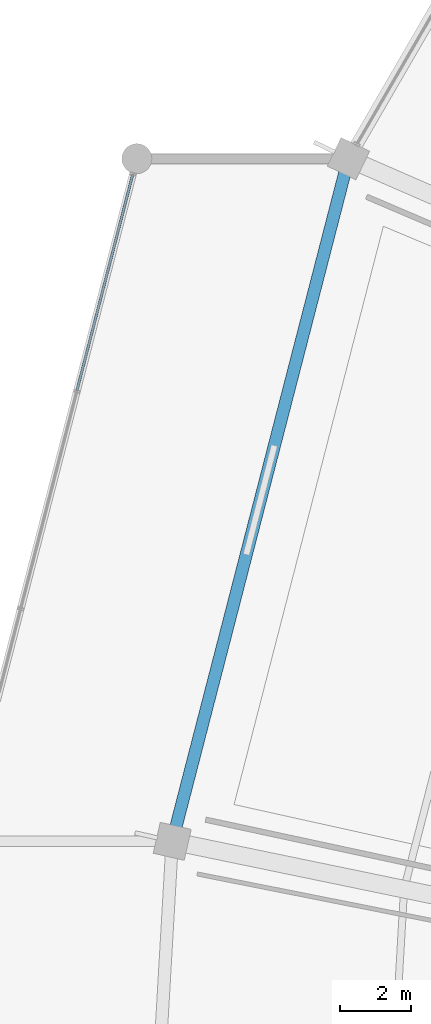
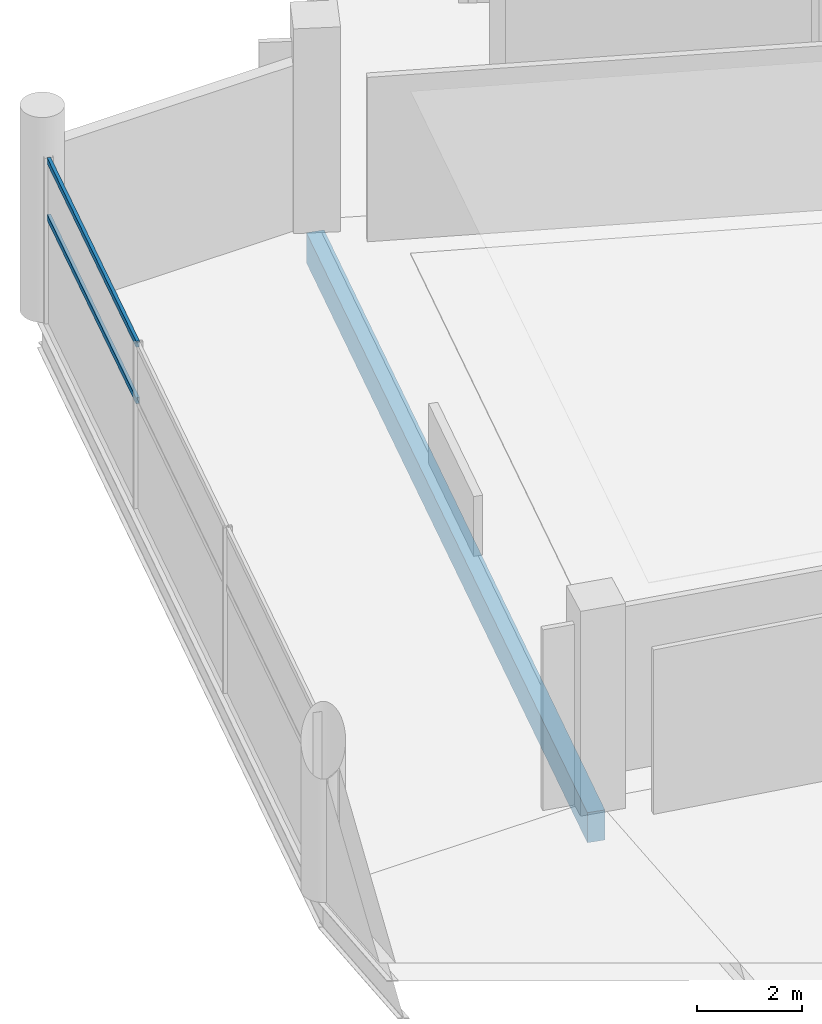
# One storey, part 36 of 156: 2 members, 1 beam, 1 element without a shape of its own.
"""IFC4 building model written with IfcOpenShell, lengths in metres."""

import ifcopenshell
import ifcopenshell.guid

model = None  # the IFC model being written
_history = None  # IfcOwnerHistory: only IFC2X3 demands one
_inside = {}  # id of a spatial element -> (the spatial element, [elements in it])
_under = {}  # id of a project, library or spatial element -> (it, [spatial elements below it])
_declared = {}  # id of a project -> (the project, [libraries it declares])
_typed = {}  # id of a type object -> (the type object, [elements of that type])
_made_of = {}  # id of a material, layer set ... -> (it, [elements and type objects made of it])


def new_model(schema):
    """Start an empty IFC model of exactly this schema.

    Asked for "IFC4X3", IfcOpenShell would pick the latest addendum, in which some entities
    have other attributes; the version numbers below select the first issue.
    IFC2X3 requires an IfcOwnerHistory on every rooted entity: one is made here for all.
    """
    global model, _history
    if schema == "IFC4X3":
        model = ifcopenshell.file(schema_version=(4, 3, 0, 0))
    else:
        model = ifcopenshell.file(schema=schema)
    _inside.clear()
    _under.clear()
    _declared.clear()
    _typed.clear()
    _made_of.clear()
    _history = None
    if model.schema == "IFC2X3":
        org = make("IfcOrganization", Name="unknown")
        user = make(
            "IfcPersonAndOrganization",
            ThePerson=make("IfcPerson", FamilyName="unknown"),
            TheOrganization=org,
        )
        app = make(
            "IfcApplication",
            ApplicationDeveloper=org,
            Version="unknown",
            ApplicationFullName="unknown",
            ApplicationIdentifier="unknown",
        )
        _history = make(
            "IfcOwnerHistory",
            OwningUser=user,
            OwningApplication=app,
            ChangeAction="ADDED",
            CreationDate=0,
        )
    return model


def make(cls, **values):
    """One entity of the class cls with the attributes given. An attribute that is None is left unset."""
    return model.create_entity(
        cls, **{name: value for name, value in values.items() if value is not None}
    )


def rooted(cls, **values):
    """An entity with a GlobalId (a new one), such as an element, a storey or a relation."""
    return make(cls, GlobalId=ifcopenshell.guid.new(), OwnerHistory=_history, **values)


def si_unit(unit_type, name, prefix=None):
    """IfcSIUnit, for example si_unit("LENGTHUNIT", "METRE", prefix="MILLI")."""
    return make("IfcSIUnit", UnitType=unit_type, Prefix=prefix, Name=name)


def assignment(units):
    """IfcUnitAssignment: the units of a project."""
    return None if units is None else make("IfcUnitAssignment", Units=units)


def point(xyz):
    """IfcCartesianPoint."""
    return None if xyz is None else make("IfcCartesianPoint", Coordinates=xyz)


def direction(xyz):
    """IfcDirection."""
    return None if xyz is None else make("IfcDirection", DirectionRatios=xyz)


def frame(location, z_axis=None, x_axis=None):
    """IfcAxis2Placement3D, a coordinate frame: its origin and axes. An axis left out is left unset."""
    return make(
        "IfcAxis2Placement3D",
        Location=point(location),
        Axis=direction(z_axis),
        RefDirection=direction(x_axis),
    )


def frame_2d(location, x_axis=None):
    """IfcAxis2Placement2D, a coordinate frame in the plane: its origin and x axis."""
    return make(
        "IfcAxis2Placement2D", Location=point(location), RefDirection=direction(x_axis)
    )


def origin():
    """The frame at (0, 0, 0) with its axes left unset."""
    return frame((0.0, 0.0, 0.0))


def origin_2d():
    """The frame at (0, 0) in the plane with its x axis left unset."""
    return frame_2d((0.0, 0.0))


def place(relative_to, where):
    """IfcLocalPlacement: puts the frame where relative to a parent placement (None: the world)."""
    return make(
        "IfcLocalPlacement", PlacementRelTo=relative_to, RelativePlacement=where
    )


def context(
    kind, dimensions, precision=None, world=None, true_north=None, identifier=None
):
    """IfcGeometricRepresentationContext, for example the 3D "Model" context."""
    return make(
        "IfcGeometricRepresentationContext",
        ContextIdentifier=identifier,
        ContextType=kind,
        CoordinateSpaceDimension=dimensions,
        Precision=precision,
        WorldCoordinateSystem=world,
        TrueNorth=true_north,
    )


def subcontext(parent, identifier, kind, view, scale=None):
    """IfcGeometricRepresentationSubContext, for example "Body" below "Model"."""
    return make(
        "IfcGeometricRepresentationSubContext",
        ContextIdentifier=identifier,
        ContextType=kind,
        ParentContext=parent,
        TargetScale=scale,
        TargetView=view,
    )


def project(units=None, contexts=None):
    """IfcProject with its units and contexts."""
    return rooted(
        "IfcProject",
        Name="project",
        RepresentationContexts=contexts,
        UnitsInContext=assignment(units),
    )


def spatial(cls, under=None, at=None, **own):
    """A site, building, storey or space (cls), placed at a placement, below another one or the project."""
    s = rooted(cls, ObjectPlacement=at, **own)
    if under is not None:
        _under.setdefault(under.id(), (under, []))[1].append(s)
    return s


def profile(cls, at=None, kind="AREA", **sizes):
    """A parametric profile (cls). Its sizes go by their IFC names, for example OverallWidth=200.0."""
    return make(cls, ProfileType=kind, Position=at, **sizes)


def rectangle(**sizes):
    """IfcRectangleProfileDef."""
    return profile("IfcRectangleProfileDef", **sizes)


def hollow_rectangle(**sizes):
    """IfcRectangleHollowProfileDef."""
    return profile("IfcRectangleHollowProfileDef", **sizes)


def extrude(swept, where, along, depth):
    """IfcExtrudedAreaSolid: the profile swept, set in the frame where, extruded along a direction by depth."""
    return make(
        "IfcExtrudedAreaSolid",
        SweptArea=swept,
        Position=where,
        ExtrudedDirection=direction(along),
        Depth=depth,
    )


def shape(context_of_items, identifier, shape_type, items):
    """IfcShapeRepresentation: the items that make up one representation, for example the "Body"."""
    return make(
        "IfcShapeRepresentation",
        ContextOfItems=context_of_items,
        RepresentationIdentifier=identifier,
        RepresentationType=shape_type,
        Items=items,
    )


def material(Name=None, Category=None):
    """IfcMaterial."""
    return make("IfcMaterial", Name=Name, Category=Category)


def layer(
    of_material, thickness, ventilated=None, Name=None, Category=None, Priority=None
):
    """IfcMaterialLayer: one layer of a wall or slab, of a material (None: an air gap)."""
    return make(
        "IfcMaterialLayer",
        Material=of_material,
        LayerThickness=thickness,
        IsVentilated=ventilated,
        Name=Name,
        Category=Category,
        Priority=Priority,
    )


def layer_set(layers, Name=None):
    """IfcMaterialLayerSet."""
    return make("IfcMaterialLayerSet", MaterialLayers=layers, LayerSetName=Name)


def material_profile(
    of_material, cross_section, Name=None, Category=None, Priority=None
):
    """IfcMaterialProfile: a cross section and its material."""
    return make(
        "IfcMaterialProfile",
        Name=Name,
        Material=of_material,
        Profile=cross_section,
        Priority=Priority,
        Category=Category,
    )


def profile_set(profiles, Name=None, composite=None):
    """IfcMaterialProfileSet."""
    return make(
        "IfcMaterialProfileSet",
        Name=Name,
        MaterialProfiles=profiles,
        CompositeProfile=composite,
    )


def made_of(thing, what):
    """Note that an element or type object is made of a material, layer set ...; save() writes the relation."""
    if what is not None:
        _made_of.setdefault(what.id(), (what, []))[1].append(thing)
    return thing


def type_object(cls, material=None, **own):
    """A type object (cls), such as IfcWallType, which elements share."""
    return made_of(rooted(cls, **own), material)


def element(
    cls,
    number,
    at=None,
    inside=None,
    cuts=None,
    type_object=None,
    material=None,
    context=None,
    identifier="Body",
    shape_type=None,
    held_by="IfcProductDefinitionShape",
    body=None,
    shapes=None,
    **own,
):
    """One element of the class cls, such as IfcWall. Its Tag is "e" and its number.

    at: its placement. inside: the storey or other place that contains it. cuts: it is an
    opening in that element (IfcRelVoidsElement). A single representation is given by context,
    identifier, shape_type and body (its items); several are given by shapes. held_by: the class
    of the entity that holds the representations. save() writes the other relations.
    """
    e = rooted(cls, Tag="e%d" % number, ObjectPlacement=at, **own)
    if body is not None:
        shapes = [shape(context, identifier, shape_type, body)]
    if shapes is not None:
        e.Representation = make(held_by, Representations=shapes)
    if inside is not None:
        _inside.setdefault(inside.id(), (inside, []))[1].append(e)
    if cuts is not None:
        rooted(
            "IfcRelVoidsElement", RelatingBuildingElement=cuts, RelatedOpeningElement=e
        )
    if type_object is not None:
        _typed.setdefault(type_object.id(), (type_object, []))[1].append(e)
    return made_of(e, material)


def aggregate(whole, parts):
    """IfcRelAggregates: a whole, such as a stair, and the parts it consists of."""
    return rooted("IfcRelAggregates", RelatingObject=whole, RelatedObjects=parts)


def save(model, path):
    """Write the relations noted so far, then the file.

    IfcRelAggregates (storeys below a building ...), IfcRelContainedInSpatialStructure (elements
    in a storey), IfcRelDefinesByType, IfcRelAssociatesMaterial and IfcRelDeclares: one each for
    every whole, place, type object, material and project.
    """
    for whole, parts in _under.values():
        aggregate(whole, parts)
    for where, things in _inside.values():
        rooted(
            "IfcRelContainedInSpatialStructure",
            RelatedElements=things,
            RelatingStructure=where,
        )
    for kind, things in _typed.values():
        rooted("IfcRelDefinesByType", RelatedObjects=things, RelatingType=kind)
    for what, things in _made_of.values():
        rooted("IfcRelAssociatesMaterial", RelatedObjects=things, RelatingMaterial=what)
    for by, libraries in _declared.values():
        rooted("IfcRelDeclares", RelatingContext=by, RelatedDefinitions=libraries)
    model.write(path)


model = new_model("IFC4")

# Units and contexts
model_context = context("Model", 3, precision=1e-05, world=origin(), true_north=direction((0.0, 1.0)))
body_context = subcontext(model_context, "Body", "Model", "MODEL_VIEW")
ifc_project = project(units=[si_unit("LENGTHUNIT", "METRE"), si_unit("AREAUNIT", "SQUARE_METRE"), si_unit("VOLUMEUNIT", "CUBIC_METRE"), si_unit("PLANEANGLEUNIT", "RADIAN"), si_unit("MASSUNIT", "GRAM", prefix="KILO")], contexts=[model_context])

# Site, building, storey
site_placement = place(None, origin())
site = spatial("IfcSite", under=ifc_project, at=site_placement, CompositionType="ELEMENT")
building_placement = place(site_placement, origin())
building = spatial("IfcBuilding", under=site, at=building_placement, Name="Kazemori Nagisa Stadium", CompositionType="ELEMENT")
storey_placement = place(building_placement, frame((0.0, 0.0, 5.780029296875)))
storey = spatial("IfcBuildingStorey", under=building, at=storey_placement, Name="L01", CompositionType="ELEMENT", Elevation=5.780029296875)

# Beam
ifc_material_1 = material(Name="Concrete C40/50 (Fc42)", Category="concrete")
ifc_material_profile_1 = material_profile(ifc_material_1, rectangle(XDim=0.35009765625, YDim=0.699951171875, at=origin_2d()), Name="RC-SP-350x700")
ifc_profile_set_1 = profile_set([ifc_material_profile_1], Name="Concrete C40/50 (Fc42)")
beam_type = type_object("IfcBeamType", Name="Beam_BS-RC350X700", PredefinedType="SPANDREL", material=ifc_profile_set_1)
beam_placement = place(storey_placement, frame((34.114990234375, 140.74951171875, -0.630126953125), z_axis=(-0.249964097999, -0.968255105699, 0.0), x_axis=(0.968255105699, -0.249964097999, 0.0)))
element("IfcBeam", 1, at=beam_placement, inside=storey, type_object=beam_type, Name="Ring girder BS-RC350X700 L01 R3-13", PredefinedType="SPANDREL", context=body_context, shape_type="SweptSolid", body=[
    extrude(rectangle(XDim=0.35009765625, YDim=0.699951171875, at=origin_2d()), origin(), (0.0, 0.0, 1.0), 19.986328125),
])

# Curtain wall, members
ifc_material_2 = material(Name="Anodised aluminium 6063-T5", Category="aluminium")
ifc_layer = layer(ifc_material_2, 0.179931640625, Name="Anodised aluminium 6063-T5", Category="aluminium")
ifc_layer_set = layer_set([ifc_layer], Name="Anodised aluminium 6063-T5")
curtain_wall_type = type_object("IfcCurtainWallType", Name="CW_L01R3_96", PredefinedType="USERDEFINED", material=ifc_layer_set)
curtain_wall_placement = place(storey_placement, origin())
curtain_wall = element("IfcCurtainWall", 2, at=curtain_wall_placement, inside=storey, type_object=curtain_wall_type, Name="Unitised curtain wall CW-L01R3-96 L01", ObjectType="UNITISED CURTAIN WALL", PredefinedType="USERDEFINED")
ifc_material_3 = material(Name="Aluminium 6063-T5 anodised", Category="aluminium")
ifc_material_profile_2 = material_profile(ifc_material_3, hollow_rectangle(XDim=0.070068359375, YDim=0.139892578125, WallThickness=0.00390625, at=origin_2d()), Name="ALU-TRAN-70x140x4")
ifc_profile_set_2 = profile_set([ifc_material_profile_2], Name="Aluminium 6063-T5 anodised")
member_type = type_object("IfcMemberType", Name="Transom_T01", PredefinedType="USERDEFINED", material=ifc_profile_set_2)
member_1_placement = place(storey_placement, frame((27.998779296875, 140.29931640625, 2.4638671875), z_axis=(-0.249948056089, -0.968259246926, 0.0), x_axis=(0.968259246926, -0.249948056089, 0.0)))
member_1 = element("IfcMember", 3, at=member_1_placement, type_object=member_type, Name="Curtain wall transom CW-L01R3-96-T1-mid", ObjectType="TRANSOM", PredefinedType="USERDEFINED", context=body_context, shape_type="SweptSolid", body=[
    extrude(hollow_rectangle(XDim=0.070068359375, YDim=0.139892578125, WallThickness=0.00390625, at=origin_2d()), origin(), (0.0, 0.0, 1.0), 6.325439453125),
])
member_2_placement = place(storey_placement, frame((27.998779296875, 140.29931640625, 3.780029296875), z_axis=(-0.249948056089, -0.968259246926, 0.0), x_axis=(0.968259246926, -0.249948056089, 0.0)))
member_2 = element("IfcMember", 4, at=member_2_placement, type_object=member_type, Name="Curtain wall transom CW-L01R3-96-T1-head", ObjectType="TRANSOM", PredefinedType="USERDEFINED", context=body_context, shape_type="SweptSolid", body=[
    extrude(hollow_rectangle(XDim=0.070068359375, YDim=0.139892578125, WallThickness=0.00390625, at=origin_2d()), origin(), (0.0, 0.0, 1.0), 6.325439453125),
])
aggregate(curtain_wall, [member_1, member_2])

save(model, "model.ifc")
